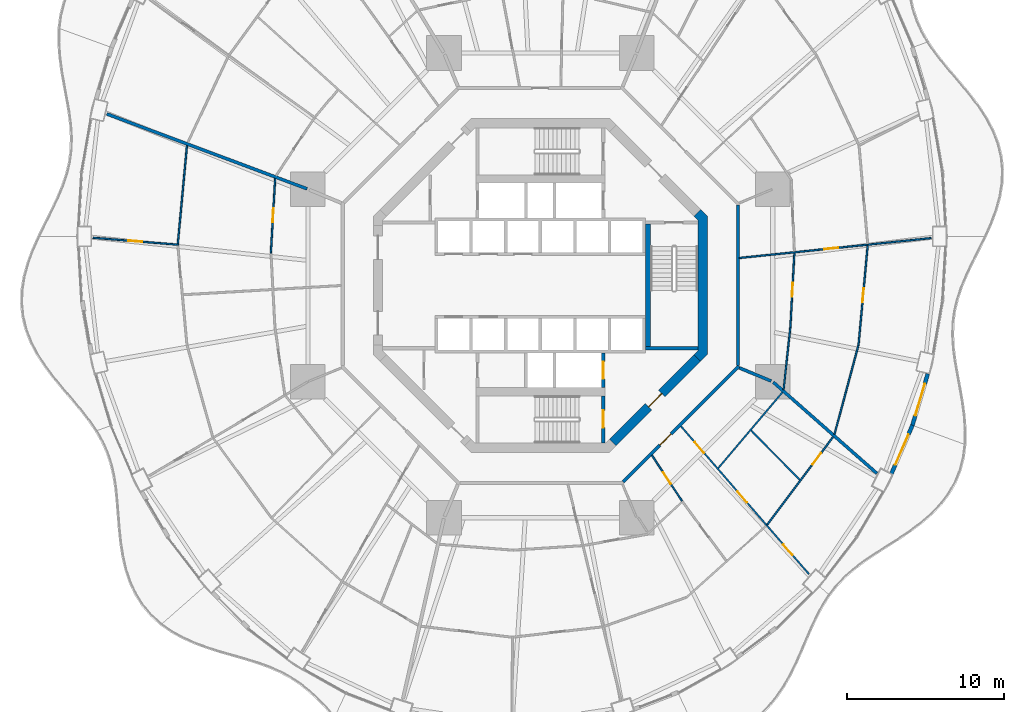
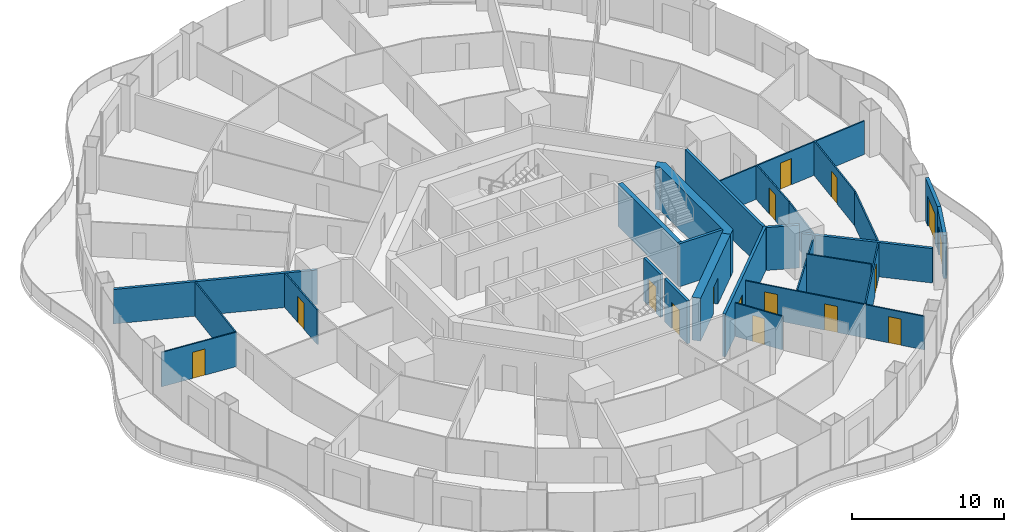
# One storey, part 16 of 22: 26 walls, 16 doors, 16 openings.
"""IFC4 building model written with IfcOpenShell, lengths in metres."""

import ifcopenshell
import ifcopenshell.guid

model = None  # the IFC model being written
_history = None  # IfcOwnerHistory: only IFC2X3 demands one
_inside = {}  # id of a spatial element -> (the spatial element, [elements in it])
_under = {}  # id of a project, library or spatial element -> (it, [spatial elements below it])
_declared = {}  # id of a project -> (the project, [libraries it declares])
_typed = {}  # id of a type object -> (the type object, [elements of that type])
_made_of = {}  # id of a material, layer set ... -> (it, [elements and type objects made of it])


def new_model(schema):
    """Start an empty IFC model of exactly this schema.

    Asked for "IFC4X3", IfcOpenShell would pick the latest addendum, in which some entities
    have other attributes; the version numbers below select the first issue.
    IFC2X3 requires an IfcOwnerHistory on every rooted entity: one is made here for all.
    """
    global model, _history
    if schema == "IFC4X3":
        model = ifcopenshell.file(schema_version=(4, 3, 0, 0))
    else:
        model = ifcopenshell.file(schema=schema)
    _inside.clear()
    _under.clear()
    _declared.clear()
    _typed.clear()
    _made_of.clear()
    _history = None
    if model.schema == "IFC2X3":
        org = make("IfcOrganization", Name="unknown")
        user = make(
            "IfcPersonAndOrganization",
            ThePerson=make("IfcPerson", FamilyName="unknown"),
            TheOrganization=org,
        )
        app = make(
            "IfcApplication",
            ApplicationDeveloper=org,
            Version="unknown",
            ApplicationFullName="unknown",
            ApplicationIdentifier="unknown",
        )
        _history = make(
            "IfcOwnerHistory",
            OwningUser=user,
            OwningApplication=app,
            ChangeAction="ADDED",
            CreationDate=0,
        )
    return model


def make(cls, **values):
    """One entity of the class cls with the attributes given. An attribute that is None is left unset."""
    return model.create_entity(
        cls, **{name: value for name, value in values.items() if value is not None}
    )


def rooted(cls, **values):
    """An entity with a GlobalId (a new one), such as an element, a storey or a relation."""
    return make(cls, GlobalId=ifcopenshell.guid.new(), OwnerHistory=_history, **values)


def si_unit(unit_type, name, prefix=None):
    """IfcSIUnit, for example si_unit("LENGTHUNIT", "METRE", prefix="MILLI")."""
    return make("IfcSIUnit", UnitType=unit_type, Prefix=prefix, Name=name)


def assignment(units):
    """IfcUnitAssignment: the units of a project."""
    return None if units is None else make("IfcUnitAssignment", Units=units)


def point(xyz):
    """IfcCartesianPoint."""
    return None if xyz is None else make("IfcCartesianPoint", Coordinates=xyz)


def direction(xyz):
    """IfcDirection."""
    return None if xyz is None else make("IfcDirection", DirectionRatios=xyz)


def frame(location, z_axis=None, x_axis=None):
    """IfcAxis2Placement3D, a coordinate frame: its origin and axes. An axis left out is left unset."""
    return make(
        "IfcAxis2Placement3D",
        Location=point(location),
        Axis=direction(z_axis),
        RefDirection=direction(x_axis),
    )


def frame_2d(location, x_axis=None):
    """IfcAxis2Placement2D, a coordinate frame in the plane: its origin and x axis."""
    return make(
        "IfcAxis2Placement2D", Location=point(location), RefDirection=direction(x_axis)
    )


def origin():
    """The frame at (0, 0, 0) with its axes left unset."""
    return frame((0.0, 0.0, 0.0))


def place(relative_to, where):
    """IfcLocalPlacement: puts the frame where relative to a parent placement (None: the world)."""
    return make(
        "IfcLocalPlacement", PlacementRelTo=relative_to, RelativePlacement=where
    )


def context(
    kind, dimensions, precision=None, world=None, true_north=None, identifier=None
):
    """IfcGeometricRepresentationContext, for example the 3D "Model" context."""
    return make(
        "IfcGeometricRepresentationContext",
        ContextIdentifier=identifier,
        ContextType=kind,
        CoordinateSpaceDimension=dimensions,
        Precision=precision,
        WorldCoordinateSystem=world,
        TrueNorth=true_north,
    )


def subcontext(parent, identifier, kind, view, scale=None):
    """IfcGeometricRepresentationSubContext, for example "Body" below "Model"."""
    return make(
        "IfcGeometricRepresentationSubContext",
        ContextIdentifier=identifier,
        ContextType=kind,
        ParentContext=parent,
        TargetScale=scale,
        TargetView=view,
    )


def project(units=None, contexts=None):
    """IfcProject with its units and contexts."""
    return rooted(
        "IfcProject",
        Name="project",
        RepresentationContexts=contexts,
        UnitsInContext=assignment(units),
    )


def spatial(cls, under=None, at=None, **own):
    """A site, building, storey or space (cls), placed at a placement, below another one or the project."""
    s = rooted(cls, ObjectPlacement=at, **own)
    if under is not None:
        _under.setdefault(under.id(), (under, []))[1].append(s)
    return s


def polyline(points):
    """IfcPolyline through the points."""
    return make("IfcPolyline", Points=[point(p) for p in points])


def profile(cls, at=None, kind="AREA", **sizes):
    """A parametric profile (cls). Its sizes go by their IFC names, for example OverallWidth=200.0."""
    return make(cls, ProfileType=kind, Position=at, **sizes)


def rectangle(**sizes):
    """IfcRectangleProfileDef."""
    return profile("IfcRectangleProfileDef", **sizes)


def outline(outer, holes=None, kind="AREA"):
    """IfcArbitraryClosedProfileDef: a profile drawn as a closed curve; with holes, ...WithVoids."""
    if holes is None:
        return make("IfcArbitraryClosedProfileDef", ProfileType=kind, OuterCurve=outer)
    return make(
        "IfcArbitraryProfileDefWithVoids",
        ProfileType=kind,
        OuterCurve=outer,
        InnerCurves=holes,
    )


def extrude(swept, where, along, depth):
    """IfcExtrudedAreaSolid: the profile swept, set in the frame where, extruded along a direction by depth."""
    return make(
        "IfcExtrudedAreaSolid",
        SweptArea=swept,
        Position=where,
        ExtrudedDirection=direction(along),
        Depth=depth,
    )


def shape(context_of_items, identifier, shape_type, items):
    """IfcShapeRepresentation: the items that make up one representation, for example the "Body"."""
    return make(
        "IfcShapeRepresentation",
        ContextOfItems=context_of_items,
        RepresentationIdentifier=identifier,
        RepresentationType=shape_type,
        Items=items,
    )


def material(Name=None, Category=None):
    """IfcMaterial."""
    return make("IfcMaterial", Name=Name, Category=Category)


def layer(
    of_material, thickness, ventilated=None, Name=None, Category=None, Priority=None
):
    """IfcMaterialLayer: one layer of a wall or slab, of a material (None: an air gap)."""
    return make(
        "IfcMaterialLayer",
        Material=of_material,
        LayerThickness=thickness,
        IsVentilated=ventilated,
        Name=Name,
        Category=Category,
        Priority=Priority,
    )


def layer_set(layers, Name=None):
    """IfcMaterialLayerSet."""
    return make("IfcMaterialLayerSet", MaterialLayers=layers, LayerSetName=Name)


def made_of(thing, what):
    """Note that an element or type object is made of a material, layer set ...; save() writes the relation."""
    if what is not None:
        _made_of.setdefault(what.id(), (what, []))[1].append(thing)
    return thing


def type_object(cls, material=None, **own):
    """A type object (cls), such as IfcWallType, which elements share."""
    return made_of(rooted(cls, **own), material)


def element(
    cls,
    number,
    at=None,
    inside=None,
    cuts=None,
    type_object=None,
    material=None,
    context=None,
    identifier="Body",
    shape_type=None,
    held_by="IfcProductDefinitionShape",
    body=None,
    shapes=None,
    **own,
):
    """One element of the class cls, such as IfcWall. Its Tag is "e" and its number.

    at: its placement. inside: the storey or other place that contains it. cuts: it is an
    opening in that element (IfcRelVoidsElement). A single representation is given by context,
    identifier, shape_type and body (its items); several are given by shapes. held_by: the class
    of the entity that holds the representations. save() writes the other relations.
    """
    e = rooted(cls, Tag="e%d" % number, ObjectPlacement=at, **own)
    if body is not None:
        shapes = [shape(context, identifier, shape_type, body)]
    if shapes is not None:
        e.Representation = make(held_by, Representations=shapes)
    if inside is not None:
        _inside.setdefault(inside.id(), (inside, []))[1].append(e)
    if cuts is not None:
        rooted(
            "IfcRelVoidsElement", RelatingBuildingElement=cuts, RelatedOpeningElement=e
        )
    if type_object is not None:
        _typed.setdefault(type_object.id(), (type_object, []))[1].append(e)
    return made_of(e, material)


def fill(opening, filler):
    """IfcRelFillsElement: the door or window that sits in an opening."""
    return rooted(
        "IfcRelFillsElement",
        RelatingOpeningElement=opening,
        RelatedBuildingElement=filler,
    )


def aggregate(whole, parts):
    """IfcRelAggregates: a whole, such as a stair, and the parts it consists of."""
    return rooted("IfcRelAggregates", RelatingObject=whole, RelatedObjects=parts)


def save(model, path):
    """Write the relations noted so far, then the file.

    IfcRelAggregates (storeys below a building ...), IfcRelContainedInSpatialStructure (elements
    in a storey), IfcRelDefinesByType, IfcRelAssociatesMaterial and IfcRelDeclares: one each for
    every whole, place, type object, material and project.
    """
    for whole, parts in _under.values():
        aggregate(whole, parts)
    for where, things in _inside.values():
        rooted(
            "IfcRelContainedInSpatialStructure",
            RelatedElements=things,
            RelatingStructure=where,
        )
    for kind, things in _typed.values():
        rooted("IfcRelDefinesByType", RelatedObjects=things, RelatingType=kind)
    for what, things in _made_of.values():
        rooted("IfcRelAssociatesMaterial", RelatedObjects=things, RelatingMaterial=what)
    for by, libraries in _declared.values():
        rooted("IfcRelDeclares", RelatingContext=by, RelatedDefinitions=libraries)
    model.write(path)


model = new_model("IFC4")

# Units and contexts
model_context = context("Model", 3, precision=1e-05, world=origin(), true_north=direction((0.0, 1.0)))
body_context = subcontext(model_context, "Body", "Model", "MODEL_VIEW")
ifc_project = project(units=[si_unit("LENGTHUNIT", "METRE"), si_unit("AREAUNIT", "SQUARE_METRE"), si_unit("VOLUMEUNIT", "CUBIC_METRE"), si_unit("PLANEANGLEUNIT", "RADIAN"), si_unit("MASSUNIT", "GRAM", prefix="KILO")], contexts=[model_context])

# Site, building, storey
site_placement = place(None, origin())
site = spatial("IfcSite", under=ifc_project, at=site_placement, CompositionType="ELEMENT")
building_placement = place(site_placement, origin())
building = spatial("IfcBuilding", under=site, at=building_placement, Name="Nagisa Residences", CompositionType="ELEMENT")
storey_placement = place(building_placement, frame((0.0, 0.0, 95.5)))
storey = spatial("IfcBuildingStorey", under=building, at=storey_placement, Name="L23", CompositionType="ELEMENT", Elevation=95.5)

# Walls
ifc_material_1 = material(Name="Gypsum board on steel studs", Category="steel")
ifc_layer_1 = layer(ifc_material_1, 0.199951171875)
ifc_layer_set_1 = layer_set([ifc_layer_1], Name="Apartment compartment wall EI60 200")
wall_type_1 = type_object("IfcWallType", Name="Apartment compartment wall EI60 200", PredefinedType="PARTITIONING", material=ifc_layer_set_1)
wall_1_placement = place(storey_placement, frame((-14.828857421875, 6.140380859375, 0.0), z_axis=(0.0, 0.0, 1.0), x_axis=(-0.936597324342, 0.35040755134, 0.0)))
element("IfcWall", 1, at=wall_1_placement, inside=storey, type_object=wall_type_1, Name="wall:L23:u05", PredefinedType="PARTITIONING", context=body_context, shape_type="SweptSolid", body=[
    extrude(rectangle(XDim=13.605712890625, YDim=0.199951171875, at=frame_2d((6.802734375, 0.0))), origin(), (0.0, 0.0, 1.0), 2.761962890625),
])
wall_2_placement = place(storey_placement, frame((12.6572265625, -5.24267578125, 0.0), z_axis=(0.0, 0.0, 1.0), x_axis=(0.923876145736, -0.382691608661, 0.0)))
element("IfcWall", 2, at=wall_2_placement, inside=storey, type_object=wall_type_1, Name="wall:L23:u08", PredefinedType="PARTITIONING", context=body_context, shape_type="SweptSolid", body=[
    extrude(rectangle(XDim=2.19970703125, YDim=0.199951171875, at=frame_2d((1.099853515625, 0.0))), origin(), (0.0, 0.0, 1.0), 3.43994140625),
])
wall_3_placement = place(storey_placement, frame((14.819580078125, -6.156005859375, 0.0), z_axis=(0.0, 0.0, 1.0), x_axis=(0.750582231659, -0.660777052808, 0.0)))
element("IfcWall", 3, at=wall_3_placement, inside=storey, type_object=wall_type_1, Name="wall:L23:u09", PredefinedType="PARTITIONING", context=body_context, shape_type="SweptSolid", body=[
    extrude(rectangle(XDim=8.781005859375, YDim=0.199951171875, at=frame_2d((4.390625, 0.0))), origin(), (0.0, 0.0, 1.0), 2.761962890625),
])
ifc_material_2 = material(Name="Gypsum board on steel studs", Category="steel")
ifc_layer_2 = layer(ifc_material_2, 0.199951171875)
ifc_layer_set_2 = layer_set([ifc_layer_2], Name="Apartment entry wall EI60 200")
wall_type_2 = type_object("IfcWallType", Name="Apartment entry wall EI60 200", PredefinedType="PARTITIONING", material=ifc_layer_set_2)
wall_4_placement = place(storey_placement, frame((12.564697265625, -5.1044921875, 0.0), z_axis=(0.0, 0.0, 1.0), x_axis=(0.0, 1.0, 0.0)))
element("IfcWall", 4, at=wall_4_placement, inside=storey, type_object=wall_type_2, Name="wall:L23:u10", PredefinedType="PARTITIONING", context=body_context, shape_type="SweptSolid", body=[
    extrude(rectangle(XDim=10.208984375, YDim=0.199951171875, at=frame_2d((5.1044921875, 0.0))), origin(), (0.0, 0.0, 1.0), 3.43994140625),
])

# Wall, opening, door
wall_5_placement = place(storey_placement, frame((5.275146484375, -12.494140625, 0.0), z_axis=(0.0, 0.0, 1.0), x_axis=(0.707106781187, 0.707106781187, 0.0)))
wall_5 = element("IfcWall", 5, at=wall_5_placement, inside=storey, type_object=wall_type_2, Name="wall:L23:u17", PredefinedType="PARTITIONING", context=body_context, shape_type="SweptSolid", body=[
    extrude(rectangle(XDim=10.4091796875, YDim=0.199951171875, at=frame_2d((5.20458984375, 0.0))), origin(), (0.0, 0.0, 1.0), 3.43994140625),
])
opening_1_placement = place(wall_5_placement, frame((3.303466796875, 0.0, 0.0)))
opening_1 = element("IfcOpeningElement", 6, at=opening_1_placement, cuts=wall_5, Name="Opening L23-U15", PredefinedType="OPENING", context=body_context, shape_type="SweptSolid", body=[
    extrude(rectangle(XDim=1.0, YDim=2.10009765625, at=frame_2d((0.5, 1.050048828125))), frame((0.0, 0.10986328125, 0.0), z_axis=(0.0, -1.0, 0.0), x_axis=(1.0, 0.0, 0.0)), (0.0, 0.0, 1.0), 0.219970703125),
])
ifc_material_3 = material(Name="Timber fire door set", Category="wood")
door_type_1 = type_object("IfcDoorType", Name="Apartment entry door FD30S 1000x2100", OperationType="NOTDEFINED", PredefinedType="DOOR", material=ifc_material_3)
door_1_placement = place(opening_1_placement, frame((1.0, 0.0, 0.0), x_axis=(-1.0, 0.0, 0.0)))
door_1 = element("IfcDoor", 7, at=door_1_placement, inside=storey, type_object=door_type_1, Name="Entry door, Apartment 23B", OperationType="SINGLE_SWING_RIGHT", OverallHeight=2.10009765625, OverallWidth=1.0, PredefinedType="DOOR", context=body_context, shape_type="SweptSolid", body=[
    extrude(rectangle(XDim=1.0, YDim=2.10009765625, at=frame_2d((0.5, 1.050048828125))), frame((0.0, 0.02490234375, 0.0), z_axis=(0.0, -1.0, 0.0), x_axis=(1.0, 0.0, 0.0)), (0.0, 0.0, 1.0), 0.050048828125),
])
fill(opening_1, door_1)

ifc_material_4 = material(Name="Gypsum board on steel studs", Category="steel")
ifc_layer_3 = layer(ifc_material_4, 0.10009765625)
ifc_layer_set_3 = layer_set([ifc_layer_3], Name="Apartment partition 100")
wall_type_3 = type_object("IfcWallType", Name="Apartment partition 100", PredefinedType="PARTITIONING", material=ifc_layer_set_3)
wall_6_placement = place(storey_placement, frame((12.664306640625, 1.7451171875, 0.0), z_axis=(0.0, 0.0, 1.0), x_axis=(0.994662790212, 0.103179134358, 0.0)))
wall_6 = element("IfcWall", 8, at=wall_6_placement, inside=storey, type_object=wall_type_3, Name="wall:L23:u18", PredefinedType="PARTITIONING", context=body_context, shape_type="SweptSolid", body=[
    extrude(rectangle(XDim=12.2568359375, YDim=0.10009765625, at=frame_2d((6.12841796875, 0.0))), origin(), (0.0, 0.0, 1.0), 2.68701171875),
])
opening_2_placement = place(wall_6_placement, frame((5.413818359375, 0.0, 0.0)))
opening_2 = element("IfcOpeningElement", 9, at=opening_2_placement, cuts=wall_6, Name="Opening L23-U37", PredefinedType="OPENING", context=body_context, shape_type="SweptSolid", body=[
    extrude(rectangle(XDim=0.89990234375, YDim=2.10009765625, at=frame_2d((0.449951171875, 1.050048828125))), frame((0.0, 0.06005859375, 0.0), z_axis=(0.0, -1.0, 0.0), x_axis=(1.0, 0.0, 0.0)), (0.0, 0.0, 1.0), 0.1201171875),
])
ifc_material_5 = material(Name="Timber door set", Category="wood")
door_type_2 = type_object("IfcDoorType", Name="Apartment door 900x2100", OperationType="NOTDEFINED", PredefinedType="DOOR", material=ifc_material_5)
door_2_placement = place(opening_2_placement, frame((0.89990234375, 0.0, 0.0), x_axis=(-1.0, 0.0, 0.0)))
door_2 = element("IfcDoor", 10, at=door_2_placement, inside=storey, type_object=door_type_2, Name="Door to kitchen, Apartment 23C", OperationType="SINGLE_SWING_RIGHT", OverallHeight=2.10009765625, OverallWidth=0.89990234375, PredefinedType="DOOR", context=body_context, shape_type="SweptSolid", body=[
    extrude(rectangle(XDim=0.89990234375, YDim=2.10009765625, at=frame_2d((0.449951171875, 1.050048828125))), frame((0.0, 0.02490234375, 0.0), z_axis=(0.0, -1.0, 0.0), x_axis=(1.0, 0.0, 0.0)), (0.0, 0.0, 1.0), 0.050048828125),
])
fill(opening_2, door_2)

wall_7_placement = place(storey_placement, frame((16.1611328125, 2.058349609375, 0.0), z_axis=(0.0, 0.0, 1.0), x_axis=(-0.053696394729, -0.998557307916, 0.0)))
wall_7 = element("IfcWall", 11, at=wall_7_placement, inside=storey, type_object=wall_type_3, Name="wall:L23:u20", PredefinedType="PARTITIONING", context=body_context, shape_type="SweptSolid", body=[
    extrude(rectangle(XDim=4.7421875, YDim=0.10009765625, at=frame_2d((2.37109375, 0.0))), origin(), (0.0, 0.0, 1.0), 2.761962890625),
])
opening_3_placement = place(wall_7_placement, frame((1.89599609375, 0.0, 0.0)))
opening_3 = element("IfcOpeningElement", 12, at=opening_3_placement, cuts=wall_7, Name="Opening L23-U40", PredefinedType="OPENING", context=body_context, shape_type="SweptSolid", body=[
    extrude(rectangle(XDim=0.89990234375, YDim=2.10009765625, at=frame_2d((0.449951171875, 1.050048828125))), frame((0.0, 0.06005859375, 0.0), z_axis=(0.0, -1.0, 0.0), x_axis=(1.0, 0.0, 0.0)), (0.0, 0.0, 1.0), 0.1201171875),
])
door_3_placement = place(opening_3_placement, frame((0.89990234375, 0.0, 0.0), x_axis=(-1.0, 0.0, 0.0)))
door_3 = element("IfcDoor", 13, at=door_3_placement, inside=storey, type_object=door_type_2, Name="Door to laundry, Apartment 23C", OperationType="SINGLE_SWING_LEFT", OverallHeight=2.10009765625, OverallWidth=0.89990234375, PredefinedType="DOOR", context=body_context, shape_type="SweptSolid", body=[
    extrude(rectangle(XDim=0.89990234375, YDim=2.10009765625, at=frame_2d((0.449951171875, 1.050048828125))), frame((0.0, 0.02490234375, 0.0), z_axis=(0.0, -1.0, 0.0), x_axis=(1.0, 0.0, 0.0)), (0.0, 0.0, 1.0), 0.050048828125),
])
fill(opening_3, door_3)

wall_8_placement = place(storey_placement, frame((20.824951171875, 2.54248046875, 0.0), z_axis=(0.0, 0.0, 1.0), x_axis=(-0.09140211812, -0.995814065377, 0.0)))
wall_8 = element("IfcWall", 14, at=wall_8_placement, inside=storey, type_object=wall_type_3, Name="wall:L23:u22", PredefinedType="PARTITIONING", context=body_context, shape_type="SweptSolid", body=[
    extrude(rectangle(XDim=6.402587890625, YDim=0.10009765625, at=frame_2d((3.201171875, 0.0))), origin(), (0.0, 0.0, 1.0), 2.761962890625),
])
opening_4_placement = place(wall_8_placement, frame((2.726318359375, 0.0, 0.0)))
opening_4 = element("IfcOpeningElement", 15, at=opening_4_placement, cuts=wall_8, Name="Opening L23-U39", PredefinedType="OPENING", context=body_context, shape_type="SweptSolid", body=[
    extrude(rectangle(XDim=0.89990234375, YDim=2.10009765625, at=frame_2d((0.449951171875, 1.050048828125))), frame((0.0, 0.06005859375, 0.0), z_axis=(0.0, -1.0, 0.0), x_axis=(1.0, 0.0, 0.0)), (0.0, 0.0, 1.0), 0.1201171875),
])
door_4_placement = place(opening_4_placement, origin())
door_4 = element("IfcDoor", 16, at=door_4_placement, inside=storey, type_object=door_type_2, Name="Door to living room, Apartment 23C", OperationType="SINGLE_SWING_LEFT", OverallHeight=2.10009765625, OverallWidth=0.89990234375, PredefinedType="DOOR", context=body_context, shape_type="SweptSolid", body=[
    extrude(rectangle(XDim=0.89990234375, YDim=2.10009765625, at=frame_2d((0.449951171875, 1.050048828125))), frame((0.0, 0.02490234375, 0.0), z_axis=(0.0, -1.0, 0.0), x_axis=(1.0, 0.0, 0.0)), (0.0, 0.0, 1.0), 0.050048828125),
])
fill(opening_4, door_4)

wall_9_placement = place(storey_placement, frame((-16.864501953125, 6.800048828125, 0.0), z_axis=(0.0, 0.0, 1.0), x_axis=(-0.05777584434, -0.998329580755, 0.0)))
wall_9 = element("IfcWall", 17, at=wall_9_placement, inside=storey, type_object=wall_type_3, Name="wall:L23:u54", PredefinedType="PARTITIONING", context=body_context, shape_type="SweptSolid", body=[
    extrude(rectangle(XDim=4.74951171875, YDim=0.10009765625, at=frame_2d((2.374755859375, 0.0))), origin(), (0.0, 0.0, 1.0), 2.761962890625),
])
opening_5_placement = place(wall_9_placement, frame((1.89990234375, 0.0, 0.0)))
opening_5 = element("IfcOpeningElement", 18, at=opening_5_placement, cuts=wall_9, Name="Opening L23-U14", PredefinedType="OPENING", context=body_context, shape_type="SweptSolid", body=[
    extrude(rectangle(XDim=0.89990234375, YDim=2.10009765625, at=frame_2d((0.449951171875, 1.050048828125))), frame((0.0, 0.06005859375, 0.0), z_axis=(0.0, -1.0, 0.0), x_axis=(1.0, 0.0, 0.0)), (0.0, 0.0, 1.0), 0.1201171875),
])
door_5_placement = place(opening_5_placement, origin())
door_5 = element("IfcDoor", 19, at=door_5_placement, inside=storey, type_object=door_type_2, Name="Door to laundry, Apartment 23A", OperationType="SINGLE_SWING_RIGHT", OverallHeight=2.10009765625, OverallWidth=0.89990234375, PredefinedType="DOOR", context=body_context, shape_type="SweptSolid", body=[
    extrude(rectangle(XDim=0.89990234375, YDim=2.10009765625, at=frame_2d((0.449951171875, 1.050048828125))), frame((0.0, 0.02490234375, 0.0), z_axis=(0.0, -1.0, 0.0), x_axis=(1.0, 0.0, 0.0)), (0.0, 0.0, 1.0), 0.050048828125),
])
fill(opening_5, door_5)

# Wall
wall_10_placement = place(storey_placement, frame((-22.47412109375, 8.897705078125, 0.0), z_axis=(0.0, 0.0, 1.0), x_axis=(-0.092756864489, -0.995688788774, 0.0)))
element("IfcWall", 20, at=wall_10_placement, inside=storey, type_object=wall_type_3, Name="wall:L23:u55", PredefinedType="PARTITIONING", context=body_context, shape_type="SweptSolid", body=[
    extrude(rectangle(XDim=6.28271484375, YDim=0.10009765625, at=frame_2d((3.141357421875, 0.0))), origin(), (0.0, 0.0, 1.0), 2.761962890625),
])

# Wall, opening, door
wall_11_placement = place(storey_placement, frame((-23.01171875, 2.588134765625, 0.0), z_axis=(0.0, 0.0, 1.0), x_axis=(-0.996680765347, 0.081409164031, 0.0)))
wall_11 = element("IfcWall", 21, at=wall_11_placement, inside=storey, type_object=wall_type_3, Name="wall:L23:u57", PredefinedType="PARTITIONING", context=body_context, shape_type="SweptSolid", body=[
    extrude(rectangle(XDim=5.4580078125, YDim=0.10009765625, at=frame_2d((2.72900390625, 0.0))), origin(), (0.0, 0.0, 1.0), 2.761962890625),
])
opening_6_placement = place(wall_11_placement, frame((2.303955078125, 0.0, 0.0)))
opening_6 = element("IfcOpeningElement", 22, at=opening_6_placement, cuts=wall_11, Name="Opening L23-U13", PredefinedType="OPENING", context=body_context, shape_type="SweptSolid", body=[
    extrude(rectangle(XDim=0.89990234375, YDim=2.10009765625, at=frame_2d((0.449951171875, 1.050048828125))), frame((0.0, 0.06005859375, 0.0), z_axis=(0.0, -1.0, 0.0), x_axis=(1.0, 0.0, 0.0)), (0.0, 0.0, 1.0), 0.1201171875),
])
door_6_placement = place(opening_6_placement, frame((0.89990234375, 0.0, 0.0), x_axis=(-1.0, 0.0, 0.0)))
door_6 = element("IfcDoor", 23, at=door_6_placement, inside=storey, type_object=door_type_2, Name="Door to master bedroom, Apartment 23A", OperationType="SINGLE_SWING_RIGHT", OverallHeight=2.10009765625, OverallWidth=0.89990234375, PredefinedType="DOOR", context=body_context, shape_type="SweptSolid", body=[
    extrude(rectangle(XDim=0.89990234375, YDim=2.10009765625, at=frame_2d((0.449951171875, 1.050048828125))), frame((0.0, 0.02490234375, 0.0), z_axis=(0.0, -1.0, 0.0), x_axis=(1.0, 0.0, 0.0)), (0.0, 0.0, 1.0), 0.050048828125),
])
fill(opening_6, door_6)

wall_12_placement = place(storey_placement, frame((7.099609375, -10.80810546875, 0.0), z_axis=(0.0, 0.0, 1.0), x_axis=(0.550294419528, -0.834970689208, 0.0)))
wall_12 = element("IfcWall", 24, at=wall_12_placement, inside=storey, type_object=wall_type_3, Name="wall:L23:u83", PredefinedType="PARTITIONING", context=body_context, shape_type="SweptSolid", body=[
    extrude(rectangle(XDim=3.4716796875, YDim=0.10009765625, at=frame_2d((1.73583984375, 0.0))), origin(), (0.0, 0.0, 1.0), 2.68701171875),
])
opening_7_placement = place(wall_12_placement, frame((1.285888671875, 0.0, 0.0)))
opening_7 = element("IfcOpeningElement", 25, at=opening_7_placement, cuts=wall_12, Name="Opening L23-U16", PredefinedType="OPENING", context=body_context, shape_type="SweptSolid", body=[
    extrude(rectangle(XDim=0.89990234375, YDim=2.10009765625, at=frame_2d((0.449951171875, 1.050048828125))), frame((0.0, 0.06005859375, 0.0), z_axis=(0.0, -1.0, 0.0), x_axis=(1.0, 0.0, 0.0)), (0.0, 0.0, 1.0), 0.1201171875),
])
door_7_placement = place(opening_7_placement, frame((0.89990234375, 0.0, 0.0), x_axis=(-1.0, 0.0, 0.0)))
door_7 = element("IfcDoor", 26, at=door_7_placement, inside=storey, type_object=door_type_2, Name="Door to family bathroom, Apartment 23B", OperationType="SINGLE_SWING_LEFT", OverallHeight=2.10009765625, OverallWidth=0.89990234375, PredefinedType="DOOR", context=body_context, shape_type="SweptSolid", body=[
    extrude(rectangle(XDim=0.89990234375, YDim=2.10009765625, at=frame_2d((0.449951171875, 1.050048828125))), frame((0.0, 0.02490234375, 0.0), z_axis=(0.0, -1.0, 0.0), x_axis=(1.0, 0.0, 0.0)), (0.0, 0.0, 1.0), 0.050048828125),
])
fill(opening_7, door_7)

# Wall, openings, doors
wall_13_placement = place(storey_placement, frame((8.949951171875, -8.960205078125, 0.0), z_axis=(0.0, 0.0, 1.0), x_axis=(0.65441081073, -0.756139200676, 0.0)))
wall_13 = element("IfcWall", 27, at=wall_13_placement, inside=storey, type_object=wall_type_3, Name="wall:L23:u85", PredefinedType="PARTITIONING", context=body_context, shape_type="SweptSolid", body=[
    extrude(rectangle(XDim=12.450927734375, YDim=0.10009765625, at=frame_2d((6.2255859375, 0.0))), origin(), (0.0, 0.0, 1.0), 2.68701171875),
])
opening_8_placement = place(wall_13_placement, frame((1.335693359375, 0.0, 0.0)))
opening_8 = element("IfcOpeningElement", 28, at=opening_8_placement, cuts=wall_13, Name="Opening L23-U17", PredefinedType="OPENING", context=body_context, shape_type="SweptSolid", body=[
    extrude(rectangle(XDim=0.89990234375, YDim=2.10009765625, at=frame_2d((0.449951171875, 1.050048828125))), frame((0.0, 0.06005859375, 0.0), z_axis=(0.0, -1.0, 0.0), x_axis=(1.0, 0.0, 0.0)), (0.0, 0.0, 1.0), 0.1201171875),
])
opening_9_placement = place(wall_13_placement, frame((5.501220703125, 0.0, 0.0)))
opening_9 = element("IfcOpeningElement", 29, at=opening_9_placement, cuts=wall_13, Name="Opening L23-U19", PredefinedType="OPENING", context=body_context, shape_type="SweptSolid", body=[
    extrude(rectangle(XDim=0.89990234375, YDim=2.10009765625, at=frame_2d((0.449951171875, 1.050048828125))), frame((0.0, 0.06005859375, 0.0), z_axis=(0.0, -1.0, 0.0), x_axis=(1.0, 0.0, 0.0)), (0.0, 0.0, 1.0), 0.1201171875),
])
opening_10_placement = place(wall_13_placement, frame((9.940673828125, 0.0, 0.0)))
opening_10 = element("IfcOpeningElement", 30, at=opening_10_placement, cuts=wall_13, Name="Opening L23-U21", PredefinedType="OPENING", context=body_context, shape_type="SweptSolid", body=[
    extrude(rectangle(XDim=0.89990234375, YDim=2.10009765625, at=frame_2d((0.449951171875, 1.050048828125))), frame((0.0, 0.06005859375, 0.0), z_axis=(0.0, -1.0, 0.0), x_axis=(1.0, 0.0, 0.0)), (0.0, 0.0, 1.0), 0.1201171875),
])
door_8_placement = place(opening_8_placement, origin())
door_8 = element("IfcDoor", 31, at=door_8_placement, inside=storey, type_object=door_type_2, Name="Door to family bathroom, Apartment 23B", OperationType="SINGLE_SWING_LEFT", OverallHeight=2.10009765625, OverallWidth=0.89990234375, PredefinedType="DOOR", context=body_context, shape_type="SweptSolid", body=[
    extrude(rectangle(XDim=0.89990234375, YDim=2.10009765625, at=frame_2d((0.449951171875, 1.050048828125))), frame((0.0, 0.02490234375, 0.0), z_axis=(0.0, -1.0, 0.0), x_axis=(1.0, 0.0, 0.0)), (0.0, 0.0, 1.0), 0.050048828125),
])
fill(opening_8, door_8)
door_9_placement = place(opening_9_placement, origin())
door_9 = element("IfcDoor", 32, at=door_9_placement, inside=storey, type_object=door_type_2, Name="Door to family bathroom, Apartment 23B", OperationType="SINGLE_SWING_LEFT", OverallHeight=2.10009765625, OverallWidth=0.89990234375, PredefinedType="DOOR", context=body_context, shape_type="SweptSolid", body=[
    extrude(rectangle(XDim=0.89990234375, YDim=2.10009765625, at=frame_2d((0.449951171875, 1.050048828125))), frame((0.0, 0.02490234375, 0.0), z_axis=(0.0, -1.0, 0.0), x_axis=(1.0, 0.0, 0.0)), (0.0, 0.0, 1.0), 0.050048828125),
])
fill(opening_9, door_9)
door_10_placement = place(opening_10_placement, origin())
door_10 = element("IfcDoor", 33, at=door_10_placement, inside=storey, type_object=door_type_2, Name="Door to bedroom, Apartment 23B", OperationType="SINGLE_SWING_LEFT", OverallHeight=2.10009765625, OverallWidth=0.89990234375, PredefinedType="DOOR", context=body_context, shape_type="SweptSolid", body=[
    extrude(rectangle(XDim=0.89990234375, YDim=2.10009765625, at=frame_2d((0.449951171875, 1.050048828125))), frame((0.0, 0.02490234375, 0.0), z_axis=(0.0, -1.0, 0.0), x_axis=(1.0, 0.0, 0.0)), (0.0, 0.0, 1.0), 0.050048828125),
])
fill(opening_10, door_10)

# Wall
wall_14_placement = place(storey_placement, frame((11.319580078125, -11.62255859375, 0.0), z_axis=(0.0, 0.0, 1.0), x_axis=(0.646106810963, 0.763247003811, 0.0)))
element("IfcWall", 34, at=wall_14_placement, inside=storey, type_object=wall_type_3, Name="wall:L23:u86", PredefinedType="PARTITIONING", context=body_context, shape_type="SweptSolid", body=[
    extrude(rectangle(XDim=6.317138671875, YDim=0.10009765625, at=frame_2d((3.15869140625, 0.0))), origin(), (0.0, 0.0, 1.0), 2.761962890625),
])

# Wall, opening, door
wall_15_placement = place(storey_placement, frame((14.431884765625, -15.219482421875, 0.0), z_axis=(0.0, 0.0, 1.0), x_axis=(0.601001256685, 0.799248077548, 0.0)))
wall_15 = element("IfcWall", 35, at=wall_15_placement, inside=storey, type_object=wall_type_3, Name="wall:L23:u87", PredefinedType="PARTITIONING", context=body_context, shape_type="SweptSolid", body=[
    extrude(rectangle(XDim=6.980224609375, YDim=0.10009765625, at=frame_2d((3.490234375, 0.0))), origin(), (0.0, 0.0, 1.0), 2.761962890625),
])
opening_11_placement = place(wall_15_placement, frame((4.797607421875, 0.0, 0.0)))
opening_11 = element("IfcOpeningElement", 36, at=opening_11_placement, cuts=wall_15, Name="Opening L23-U24", PredefinedType="OPENING", context=body_context, shape_type="SweptSolid", body=[
    extrude(rectangle(XDim=0.89990234375, YDim=2.10009765625, at=frame_2d((0.449951171875, 1.050048828125))), frame((0.0, 0.06005859375, 0.0), z_axis=(0.0, -1.0, 0.0), x_axis=(1.0, 0.0, 0.0)), (0.0, 0.0, 1.0), 0.1201171875),
])
door_11_placement = place(opening_11_placement, origin())
door_11 = element("IfcDoor", 37, at=door_11_placement, inside=storey, type_object=door_type_2, Name="Door to en-suite bathroom, Apartment 23B", OperationType="SINGLE_SWING_RIGHT", OverallHeight=2.10009765625, OverallWidth=0.89990234375, PredefinedType="DOOR", context=body_context, shape_type="SweptSolid", body=[
    extrude(rectangle(XDim=0.89990234375, YDim=2.10009765625, at=frame_2d((0.449951171875, 1.050048828125))), frame((0.0, 0.02490234375, 0.0), z_axis=(0.0, -1.0, 0.0), x_axis=(1.0, 0.0, 0.0)), (0.0, 0.0, 1.0), 0.050048828125),
])
fill(opening_11, door_11)

# Walls
wall_16_placement = place(storey_placement, frame((13.41162109375, -9.228515625, 0.0), z_axis=(0.0, 0.0, 1.0), x_axis=(0.701611164285, -0.712560014421, 0.0)))
element("IfcWall", 38, at=wall_16_placement, inside=storey, type_object=wall_type_3, Name="wall:L23:u88", PredefinedType="PARTITIONING", context=body_context, shape_type="SweptSolid", body=[
    extrude(rectangle(XDim=4.4150390625, YDim=0.10009765625, at=frame_2d((2.20751953125, 0.0))), origin(), (0.0, 0.0, 1.0), 3.43994140625),
])
wall_17_placement = place(storey_placement, frame((15.4765625, -6.62548828125, 0.0), z_axis=(0.0, 0.0, 1.0), x_axis=(0.107570517496, 0.994197457131, 0.0)))
element("IfcWall", 39, at=wall_17_placement, inside=storey, type_object=wall_type_3, Name="wall:L23:u89", PredefinedType="PARTITIONING", context=body_context, shape_type="SweptSolid", body=[
    extrude(rectangle(XDim=3.9716796875, YDim=0.10009765625, at=frame_2d((1.98583984375, 0.0))), origin(), (0.0, 0.0, 1.0), 2.761962890625),
])
wall_18_placement = place(storey_placement, frame((18.713134765625, -9.464111328125, 0.0), z_axis=(0.0, 0.0, 1.0), x_axis=(0.260279646259, 0.965533275316, 0.0)))
element("IfcWall", 40, at=wall_18_placement, inside=storey, type_object=wall_type_3, Name="wall:L23:u90", PredefinedType="PARTITIONING", context=body_context, shape_type="SweptSolid", body=[
    extrude(rectangle(XDim=5.83349609375, YDim=0.10009765625, at=frame_2d((2.916748046875, 0.0))), origin(), (0.0, 0.0, 1.0), 2.761962890625),
])

# Wall, opening, door
ifc_material_6 = material(Name="Precast concrete C40/50", Category="concrete")
ifc_layer_4 = layer(ifc_material_6, 0.25)
ifc_layer_set_4 = layer_set([ifc_layer_4], Name="BALCONY DOOR WALL 250")
wall_type_4 = type_object("IfcWallType", Name="BALCONY DOOR WALL 250", PredefinedType="SOLIDWALL", material=ifc_layer_set_4)
wall_19_placement = place(storey_placement, frame((23.672119140625, -8.892822265625, 0.0), z_axis=(0.0, 0.0, 1.0), x_axis=(-0.397621629246, -0.917549475481, 0.0)))
wall_19 = element("IfcWall", 41, at=wall_19_placement, inside=storey, type_object=wall_type_4, Name="wall:L23:bay44", PredefinedType="SOLIDWALL", context=body_context, shape_type="SweptSolid", body=[
    extrude(rectangle(XDim=3.37939453125, YDim=0.25, at=frame_2d((1.689697265625, 0.0))), origin(), (0.0, 0.0, 1.0), 3.43994140625),
])
opening_12_placement = place(wall_19_placement, frame((0.6396484375, 0.0, 0.0)))
opening_12 = element("IfcOpeningElement", 42, at=opening_12_placement, cuts=wall_19, Name="Opening BD-L23-15", PredefinedType="OPENING", context=body_context, shape_type="SweptSolid", body=[
    extrude(rectangle(XDim=2.10009765625, YDim=2.39990234375, at=frame_2d((1.050048828125, 1.199951171875))), frame((0.0, 0.135009765625, 0.0), z_axis=(0.0, -1.0, 0.0), x_axis=(1.0, 0.0, 0.0)), (0.0, 0.0, 1.0), 0.27001953125),
])
ifc_material_7 = material(Name="Aluminium and clear glass", Category="aluminium")
door_type_3 = type_object("IfcDoorType", Name="BALCONY SLIDING DOOR 2100x2400", OperationType="SLIDING_TO_LEFT", PredefinedType="DOOR", material=ifc_material_7)
door_12_placement = place(opening_12_placement, origin())
door_12 = element("IfcDoor", 43, at=door_12_placement, inside=storey, type_object=door_type_3, Name="door:L23:bay44", OperationType="SLIDING_TO_LEFT", OverallHeight=2.39990234375, OverallWidth=2.10009765625, PredefinedType="DOOR", context=body_context, shape_type="SweptSolid", body=[
    extrude(rectangle(XDim=2.10009765625, YDim=2.39990234375, at=frame_2d((1.050048828125, 1.199951171875))), frame((0.0, 0.02490234375, 0.0), z_axis=(0.0, -1.0, 0.0), x_axis=(1.0, 0.0, 0.0)), (0.0, 0.0, 1.0), 0.050048828125),
])
fill(opening_12, door_12)

wall_20_placement = place(storey_placement, frame((24.645751953125, -5.626220703125, 0.0), z_axis=(0.0, 0.0, 1.0), x_axis=(-0.285901631201, -0.958258971926, 0.0)))
wall_20 = element("IfcWall", 44, at=wall_20_placement, inside=storey, type_object=wall_type_4, Name="wall:L23:bay45", PredefinedType="SOLIDWALL", context=body_context, shape_type="SweptSolid", body=[
    extrude(rectangle(XDim=3.42333984375, YDim=0.25, at=frame_2d((1.711669921875, 0.0))), origin(), (0.0, 0.0, 1.0), 3.43994140625),
])
opening_13_placement = place(wall_20_placement, frame((0.661865234375, 0.0, 0.0)))
opening_13 = element("IfcOpeningElement", 45, at=opening_13_placement, cuts=wall_20, Name="Opening BD-L23-16", PredefinedType="OPENING", context=body_context, shape_type="SweptSolid", body=[
    extrude(rectangle(XDim=2.10009765625, YDim=2.39990234375, at=frame_2d((1.050048828125, 1.199951171875))), frame((0.0, 0.135009765625, 0.0), z_axis=(0.0, -1.0, 0.0), x_axis=(1.0, 0.0, 0.0)), (0.0, 0.0, 1.0), 0.27001953125),
])
door_13_placement = place(opening_13_placement, origin())
door_13 = element("IfcDoor", 46, at=door_13_placement, inside=storey, type_object=door_type_3, Name="door:L23:bay45", OperationType="SLIDING_TO_LEFT", OverallHeight=2.39990234375, OverallWidth=2.10009765625, PredefinedType="DOOR", context=body_context, shape_type="SweptSolid", body=[
    extrude(rectangle(XDim=2.10009765625, YDim=2.39990234375, at=frame_2d((1.050048828125, 1.199951171875))), frame((0.0, 0.02490234375, 0.0), z_axis=(0.0, -1.0, 0.0), x_axis=(1.0, 0.0, 0.0)), (0.0, 0.0, 1.0), 0.050048828125),
])
fill(opening_13, door_13)

ifc_material_8 = material(Name="Concrete C60", Category="concrete")
ifc_layer_5 = layer(ifc_material_8, 0.60009765625)
ifc_layer_set_5 = layer_set([ifc_layer_5], Name="Core shear wall 600")
wall_type_5 = type_object("IfcWallType", Name="Core shear wall 600", PredefinedType="SHEAR", material=ifc_layer_set_5)
wall_21_placement = place(storey_placement, frame((4.613037109375, -9.98828125, 0.0), z_axis=(0.0, 0.0, 1.0), x_axis=(0.707106781187, 0.707106781187, 0.0)))
wall_21 = element("IfcWall", 47, at=wall_21_placement, inside=storey, type_object=wall_type_5, Name="wall:L23:core:flat7", PredefinedType="SHEAR", context=body_context, shape_type="SweptSolid", body=[
    extrude(rectangle(XDim=7.601806640625, YDim=0.60009765625, at=frame_2d((3.80078125, 0.0))), origin(), (0.0, 0.0, 1.0), 3.43994140625),
])
opening_14_placement = place(wall_21_placement, frame((3.200927734375, 0.0, 0.0)))
opening_14 = element("IfcOpeningElement", 48, at=opening_14_placement, cuts=wall_21, Name="Opening L23-C16", PredefinedType="OPENING", context=body_context, shape_type="SweptSolid", body=[
    extrude(rectangle(XDim=1.199951171875, YDim=2.10009765625, at=frame_2d((0.60009765625, 1.050048828125))), frame((0.0, 0.31005859375, 0.0), z_axis=(0.0, -1.0, 0.0), x_axis=(1.0, 0.0, 0.0)), (0.0, 0.0, 1.0), 0.6201171875),
])
ifc_material_9 = material(Name="Steel fire door", Category="steel")
door_type_4 = type_object("IfcDoorType", Name="Fire door EI60 1200x2100 single swing", OperationType="NOTDEFINED", PredefinedType="DOOR", material=ifc_material_9)
door_14_placement = place(opening_14_placement, origin())
door_14 = element("IfcDoor", 49, at=door_14_placement, inside=storey, type_object=door_type_4, Name="Firefighting lobby 2 door L23", OperationType="SINGLE_SWING_RIGHT", OverallHeight=2.10009765625, OverallWidth=1.199951171875, PredefinedType="DOOR", context=body_context, shape_type="SweptSolid", body=[
    extrude(rectangle(XDim=1.199951171875, YDim=2.10009765625, at=frame_2d((0.60009765625, 1.050048828125))), frame((0.0, 0.02490234375, 0.0), z_axis=(0.0, -1.0, 0.0), x_axis=(1.0, 0.0, 0.0)), (0.0, 0.0, 1.0), 0.050048828125),
])
fill(opening_14, door_14)

# Wall
wall_22_placement = place(storey_placement, origin())
element("IfcWall", 50, at=wall_22_placement, inside=storey, type_object=wall_type_5, Name="wall:L23:core:flat0", PredefinedType="SHEAR", context=body_context, shape_type="SweptSolid", body=[
    extrude(outline(polyline([(9.776123046875, -4.40087890625), (10.024658203125, -4.15234375), (10.024658203125, -3.801025390625), (10.024658203125, 4.15234375), (9.776123046875, 4.40087890625), (10.200439453125, 4.8251953125), (10.62451171875, 4.40087890625), (10.62451171875, -4.40087890625), (10.200439453125, -4.8251953125), (9.776123046875, -4.40087890625)])), origin(), (0.0, 0.0, 1.0), 3.43994140625),
])

# Wall, opening, door
ifc_material_10 = material(Name="Concrete C60", Category="concrete")
ifc_layer_6 = layer(ifc_material_10, 0.199951171875)
ifc_layer_set_6 = layer_set([ifc_layer_6], Name="Lift shaft wall 200")
wall_type_6 = type_object("IfcWallType", Name="Lift shaft wall 200", PredefinedType="SOLIDWALL", material=ifc_layer_set_6)
wall_23_placement = place(storey_placement, frame((4.0, -6.5, 0.0), z_axis=(0.0, 0.0, 1.0), x_axis=(0.0, 1.0, 0.0)))
wall_23 = element("IfcWall", 51, at=wall_23_placement, inside=storey, type_object=wall_type_6, Name="wall:L23:Sb3", PredefinedType="SOLIDWALL", context=body_context, shape_type="SweptSolid", body=[
    extrude(rectangle(XDim=2.199951171875, YDim=0.199951171875, at=frame_2d((1.10009765625, 0.0))), origin(), (0.0, 0.0, 1.0), 3.43994140625),
])
opening_15_placement = place(wall_23_placement, frame((0.550048828125, 0.0, 0.0)))
opening_15 = element("IfcOpeningElement", 52, at=opening_15_placement, cuts=wall_23, Name="Opening L23-C07", PredefinedType="OPENING", context=body_context, shape_type="SweptSolid", body=[
    extrude(rectangle(XDim=1.10009765625, YDim=2.10009765625, at=frame_2d((0.550048828125, 1.050048828125))), frame((0.0, 0.10986328125, 0.0), z_axis=(0.0, -1.0, 0.0), x_axis=(1.0, 0.0, 0.0)), (0.0, 0.0, 1.0), 0.219970703125),
])
ifc_material_11 = material(Name="Stainless steel", Category="steel")
door_type_5 = type_object("IfcDoorType", Name="Lift landing door 1100x2100", OperationType="DOUBLE_DOOR_SLIDING", PredefinedType="DOOR", material=ifc_material_11)
door_15_placement = place(opening_15_placement, origin())
door_15 = element("IfcDoor", 53, at=door_15_placement, inside=storey, type_object=door_type_5, Name="Landing door FL2 L23", OperationType="DOUBLE_DOOR_SLIDING", OverallHeight=2.10009765625, OverallWidth=1.10009765625, PredefinedType="DOOR", context=body_context, shape_type="SweptSolid", body=[
    extrude(rectangle(XDim=1.10009765625, YDim=2.10009765625, at=frame_2d((0.550048828125, 1.050048828125))), frame((0.0, 0.02490234375, 0.0), z_axis=(0.0, -1.0, 0.0), x_axis=(1.0, 0.0, 0.0)), (0.0, 0.0, 1.0), 0.050048828125),
])
fill(opening_15, door_15)

ifc_material_12 = material(Name="Concrete C60", Category="concrete")
ifc_layer_7 = layer(ifc_material_12, 0.199951171875)
ifc_layer_set_7 = layer_set([ifc_layer_7], Name="Stair enclosure wall 200")
wall_type_7 = type_object("IfcWallType", Name="Stair enclosure wall 200", PredefinedType="SOLIDWALL", material=ifc_layer_set_7)
wall_24_placement = place(storey_placement, frame((4.0, -10.024658203125, 0.0), z_axis=(0.0, 0.0, 1.0), x_axis=(0.0, 1.0, 0.0)))
wall_24 = element("IfcWall", 54, at=wall_24_placement, inside=storey, type_object=wall_type_7, Name="wall:L23:SS_e", PredefinedType="SOLIDWALL", context=body_context, shape_type="SweptSolid", body=[
    extrude(rectangle(XDim=3.0, YDim=0.199951171875, at=frame_2d((1.5, 0.0))), origin(), (0.0, 0.0, 1.0), 3.43994140625),
])
opening_16_placement = place(wall_24_placement, frame((0.974609375, 0.0, 0.0)))
opening_16 = element("IfcOpeningElement", 55, at=opening_16_placement, cuts=wall_24, Name="Opening L23-C11", PredefinedType="OPENING", context=body_context, shape_type="SweptSolid", body=[
    extrude(rectangle(XDim=1.10009765625, YDim=2.10009765625, at=frame_2d((0.550048828125, 1.050048828125))), frame((0.0, 0.10986328125, 0.0), z_axis=(0.0, -1.0, 0.0), x_axis=(1.0, 0.0, 0.0)), (0.0, 0.0, 1.0), 0.219970703125),
])
ifc_material_13 = material(Name="Steel fire door", Category="steel")
door_type_6 = type_object("IfcDoorType", Name="Fire door EI90 1100x2100 single swing", OperationType="NOTDEFINED", PredefinedType="DOOR", material=ifc_material_13)
door_16_placement = place(opening_16_placement, origin())
door_16 = element("IfcDoor", 56, at=door_16_placement, inside=storey, type_object=door_type_6, Name="Stair door ST-S L23", OperationType="SINGLE_SWING_LEFT", OverallHeight=2.10009765625, OverallWidth=1.10009765625, PredefinedType="DOOR", context=body_context, shape_type="SweptSolid", body=[
    extrude(rectangle(XDim=1.10009765625, YDim=2.10009765625, at=frame_2d((0.550048828125, 1.050048828125))), frame((0.0, 0.02490234375, 0.0), z_axis=(0.0, -1.0, 0.0), x_axis=(1.0, 0.0, 0.0)), (0.0, 0.0, 1.0), 0.050048828125),
])
fill(opening_16, door_16)

# Walls
wall_25_placement = place(storey_placement, origin())
element("IfcWall", 57, at=wall_25_placement, inside=storey, type_object=wall_type_7, Name="wall:L23:SE_w", PredefinedType="SOLIDWALL", context=body_context, shape_type="SweptSolid", body=[
    extrude(outline(polyline([(7.024658203125, -3.89990234375), (6.699951171875, -3.89990234375), (6.699951171875, 3.89990234375), (7.024658203125, 3.89990234375), (7.024658203125, -3.89990234375)])), origin(), (0.0, 0.0, 1.0), 3.43994140625),
])
wall_26_placement = place(storey_placement, origin())
element("IfcWall", 58, at=wall_26_placement, inside=storey, type_object=wall_type_7, Name="wall:L23:SE_s", PredefinedType="SOLIDWALL", context=body_context, shape_type="SweptSolid", body=[
    extrude(outline(polyline([(10.024658203125, -4.10009765625), (6.699951171875, -4.10009765625), (6.699951171875, -3.89990234375), (10.024658203125, -3.89990234375), (10.024658203125, -4.10009765625)])), origin(), (0.0, 0.0, 1.0), 3.43994140625),
])

save(model, "model.ifc")
